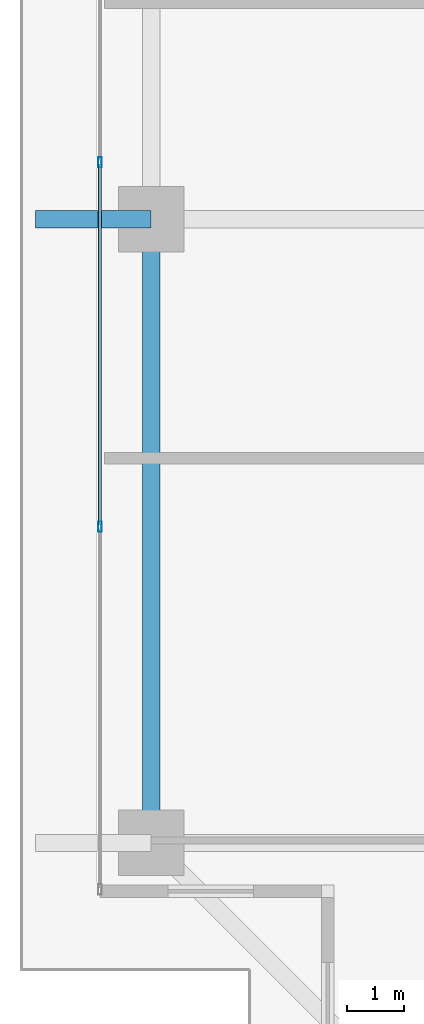
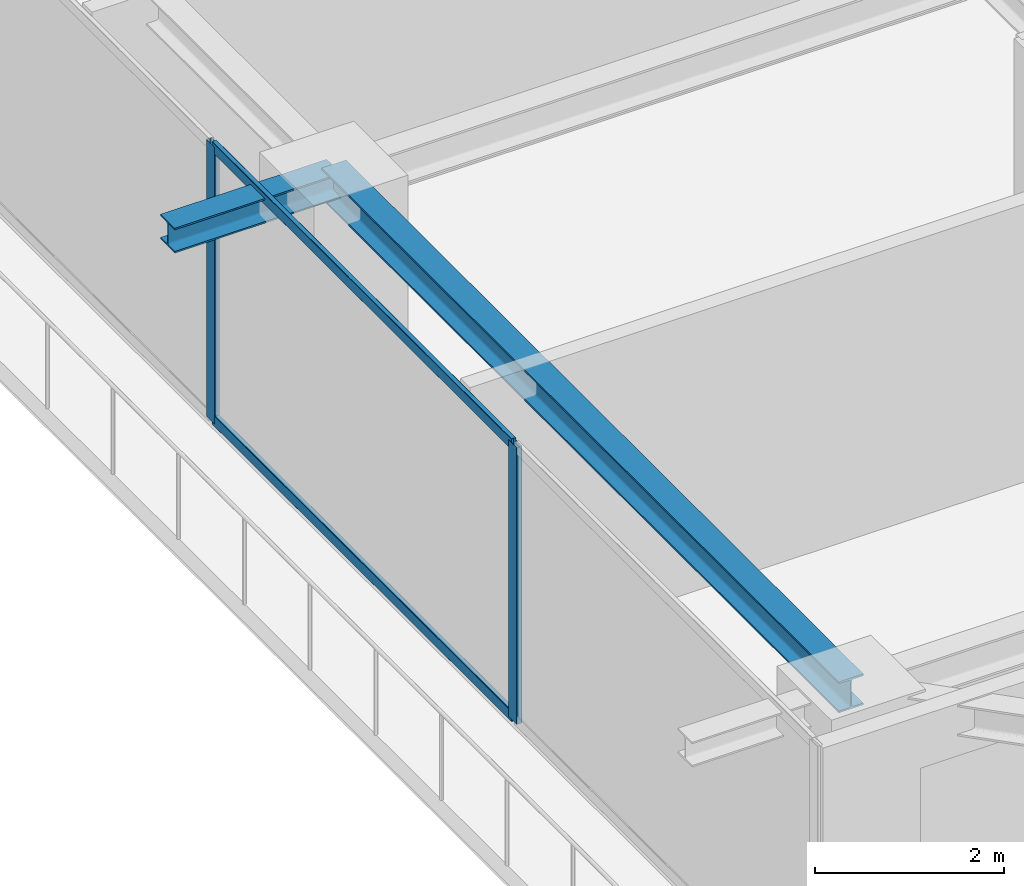
# One storey, part 7 of 37: 4 members, 2 beams, 1 element without a shape of its own.
"""IFC4 building model written with IfcOpenShell, lengths in metres."""

from ifc_helpers import new_model, si_unit, direction, frame, origin, origin_2d, place, context, subcontext, project, spatial, hollow_rectangle, i_section, extrude, source, transform, mapped, material, layer, layer_set, material_profile, profile_set, type_object, element, aggregate, save


model = new_model("IFC4")

# Units and contexts
model_context = context("Model", 3, precision=1e-05, world=origin(), true_north=direction((0.0, 1.0)))
body_context = subcontext(model_context, "Body", "Model", "MODEL_VIEW")
ifc_project = project(units=[si_unit("LENGTHUNIT", "METRE"), si_unit("AREAUNIT", "SQUARE_METRE"), si_unit("VOLUMEUNIT", "CUBIC_METRE"), si_unit("PLANEANGLEUNIT", "RADIAN"), si_unit("MASSUNIT", "GRAM", prefix="KILO")], contexts=[model_context])

# Site, building, storey
site_placement = place(None, origin())
site = spatial("IfcSite", under=ifc_project, at=site_placement, CompositionType="ELEMENT")
building_placement = place(site_placement, origin())
building = spatial("IfcBuilding", under=site, at=building_placement, Name="Serunith Strait Residences", CompositionType="ELEMENT")
storey_placement = place(building_placement, frame((0.0, 0.0, 260.5)))
storey = spatial("IfcBuildingStorey", under=building, at=storey_placement, Name="L65", CompositionType="ELEMENT", Elevation=260.5)

# Beams
ifc_material_1 = material(Name="Steel S355J2", Category="steel")
ifc_material_profile_1 = material_profile(ifc_material_1, i_section(OverallWidth=0.300048828125, OverallDepth=0.39990234375, WebThickness=0.013427734375, FlangeThickness=0.02392578125, FilletRadius=0.027099609375, at=origin_2d()), Name="HEB 400")
ifc_profile_set_1 = profile_set([ifc_material_profile_1], Name="Steel S355J2")
beam_type_1 = type_object("IfcBeamType", Name="BM-HEB400", PredefinedType="BEAM", material=ifc_profile_set_1)
shared_shape_1 = source(origin(), body_context, "Body", "SweptSolid", [
    extrude(i_section(OverallWidth=0.300048828125, OverallDepth=0.39990234375, WebThickness=0.013427734375, FlangeThickness=0.02392578125, FilletRadius=0.027099609375, at=origin_2d()), origin(), (0.0, 0.0, 1.0), 10.949951171875),
])
beam_1_placement = place(storey_placement, frame((8.300048828125, 21.0, 3.386962890625), z_axis=(0.0, -1.0, 0.0), x_axis=(1.0, 0.0, 0.0)))
element("IfcBeam", 1, at=beam_1_placement, inside=storey, type_object=beam_type_1, Name="L65 Perimeter Ring Beam 15", PredefinedType="BEAM", context=body_context, shape_type="MappedRepresentation", body=[
    mapped(shared_shape_1, transform((0.0, 0.0, 0.0), scale=1.0)),
])
ifc_material_profile_2 = material_profile(ifc_material_1, i_section(OverallWidth=0.300048828125, OverallDepth=0.320068359375, WebThickness=0.011474609375, FlangeThickness=0.0205078125, FilletRadius=0.027099609375, at=origin_2d()), Name="HEB 320")
ifc_profile_set_2 = profile_set([ifc_material_profile_2], Name="Steel S355J2")
beam_type_2 = type_object("IfcBeamType", Name="BM-HEB320", PredefinedType="BEAM", material=ifc_profile_set_2)
shared_shape_2 = source(origin(), body_context, "Body", "SweptSolid", [
    extrude(i_section(OverallWidth=0.300048828125, OverallDepth=0.320068359375, WebThickness=0.011474609375, FlangeThickness=0.0205078125, FilletRadius=0.027099609375, at=origin_2d()), origin(), (0.0, 0.0, 1.0), 2.030029296875),
])
beam_2_placement = place(storey_placement, frame((8.300048828125, 21.0, 3.39697265625), z_axis=(-1.0, 0.0, 0.0), x_axis=(0.0, -1.0, 0.0)))
element("IfcBeam", 2, at=beam_2_placement, inside=storey, type_object=beam_type_2, Name="L66 Cantilevered Balcony Rib TC-W2", PredefinedType="BEAM", context=body_context, shape_type="MappedRepresentation", body=[
    mapped(shared_shape_2, transform((0.0, 0.0, 0.0), scale=1.0)),
])

# Curtain wall, members
ifc_material_2 = material(Name="Pale-Champagne Anodised Aluminium", Category="aluminium")
ifc_layer = layer(ifc_material_2, 0.199951171875, Name="Pale-Champagne Anodised Aluminium")
ifc_layer_set = layer_set([ifc_layer], Name="Pale-Champagne Anodised Aluminium")
curtain_wall_type = type_object("IfcCurtainWallType", Name="CW-SYS4", PredefinedType="NOTDEFINED", material=ifc_layer_set)
curtain_wall_placement = place(storey_placement, origin())
curtain_wall = element("IfcCurtainWall", 3, at=curtain_wall_placement, inside=storey, type_object=curtain_wall_type, Name="L65 W Unitised Fritted Curtain Wall", PredefinedType="NOTDEFINED")
ifc_material_profile_3 = material_profile(ifc_material_2, hollow_rectangle(XDim=0.06494140625, YDim=0.179931640625, WallThickness=0.00341796875, InnerFilletRadius=0.00537109375, OuterFilletRadius=0.0087890625, at=origin_2d()), Name="ALU 180x65x3.5")
ifc_profile_set_3 = profile_set([ifc_material_profile_3], Name="Pale-Champagne Anodised Aluminium")
member_type_1 = type_object("IfcMemberType", Name="CW-SYS4-MULL", PredefinedType="MULLION", material=ifc_profile_set_3)
shared_shape_3 = source(origin(), body_context, "Body", "SweptSolid", [
    extrude(hollow_rectangle(XDim=0.06494140625, YDim=0.179931640625, WallThickness=0.00341796875, InnerFilletRadius=0.00537109375, OuterFilletRadius=0.0087890625, at=origin_2d()), origin(), (0.0, 0.0, 1.0), 3.574951171875),
])
member_1_placement = place(storey_placement, frame((7.39990234375, 22.0, 0.0), z_axis=(0.0, 0.0, 1.0), x_axis=(1.0, 0.0, 0.0)))
member_1 = element("IfcMember", 4, at=member_1_placement, type_object=member_type_1, Name="CW-4 mullion 4", PredefinedType="MULLION", context=body_context, shape_type="MappedRepresentation", body=[
    mapped(shared_shape_3, transform((0.0, 0.0, 0.0), scale=1.0)),
])
member_2_placement = place(storey_placement, frame((7.39990234375, 15.60009765625, 0.0), z_axis=(0.0, 0.0, 1.0), x_axis=(1.0, 0.0, 0.0)))
member_2 = element("IfcMember", 5, at=member_2_placement, type_object=member_type_1, Name="CW-4 mullion 5", PredefinedType="MULLION", context=body_context, shape_type="MappedRepresentation", body=[
    mapped(shared_shape_3, transform((0.0, 0.0, 0.0), scale=1.0)),
])
ifc_material_profile_4 = material_profile(ifc_material_2, hollow_rectangle(XDim=0.06005859375, YDim=0.139892578125, WallThickness=0.00341796875, InnerFilletRadius=0.00537109375, OuterFilletRadius=0.0087890625, at=origin_2d()), Name="ALU 140x60x3.5")
ifc_profile_set_4 = profile_set([ifc_material_profile_4], Name="Pale-Champagne Anodised Aluminium")
member_type_2 = type_object("IfcMemberType", Name="CW-SYS4-TRAN", PredefinedType="USERDEFINED", material=ifc_profile_set_4)
shared_shape_4 = source(origin(), body_context, "Body", "SweptSolid", [
    extrude(hollow_rectangle(XDim=0.06005859375, YDim=0.139892578125, WallThickness=0.00341796875, InnerFilletRadius=0.00537109375, OuterFilletRadius=0.0087890625, at=origin_2d()), origin(), (0.0, 0.0, 1.0), 6.3349609375),
])
member_3_placement = place(storey_placement, frame((7.39990234375, 21.967529296875, 0.030029296875), z_axis=(0.0, -1.0, 0.0), x_axis=(1.0, 0.0, 0.0)))
member_3 = element("IfcMember", 6, at=member_3_placement, type_object=member_type_2, Name="CW-4 transom 4.1", ObjectType="TRANSOM", PredefinedType="USERDEFINED", context=body_context, shape_type="MappedRepresentation", body=[
    mapped(shared_shape_4, transform((0.0, 0.0, 0.0), scale=1.0)),
])
member_4_placement = place(storey_placement, frame((7.39990234375, 21.967529296875, 3.544921875), z_axis=(0.0, -1.0, 0.0), x_axis=(1.0, 0.0, 0.0)))
member_4 = element("IfcMember", 7, at=member_4_placement, type_object=member_type_2, Name="CW-4 transom 4.2", ObjectType="TRANSOM", PredefinedType="USERDEFINED", context=body_context, shape_type="MappedRepresentation", body=[
    mapped(shared_shape_4, transform((0.0, 0.0, 0.0), scale=1.0)),
])
aggregate(curtain_wall, [member_1, member_2, member_3, member_4])

save(model, "model.ifc")
